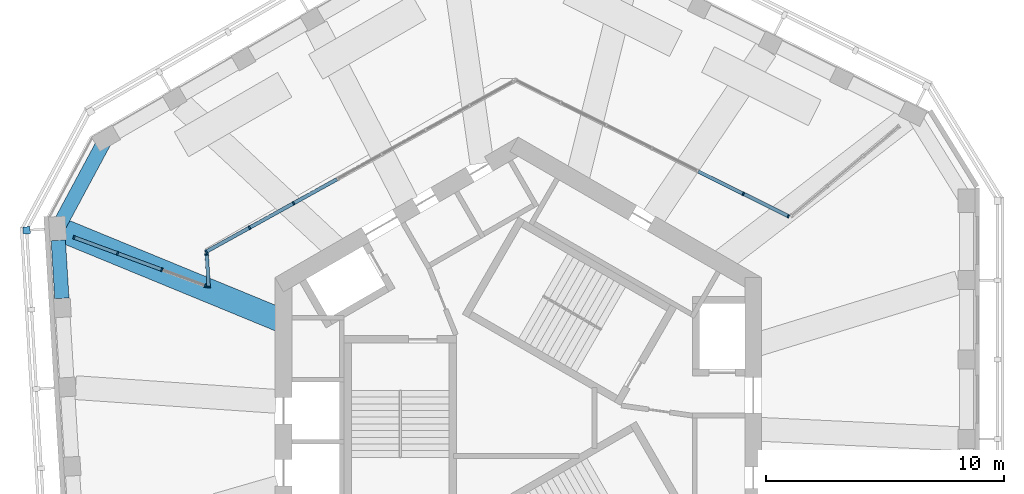
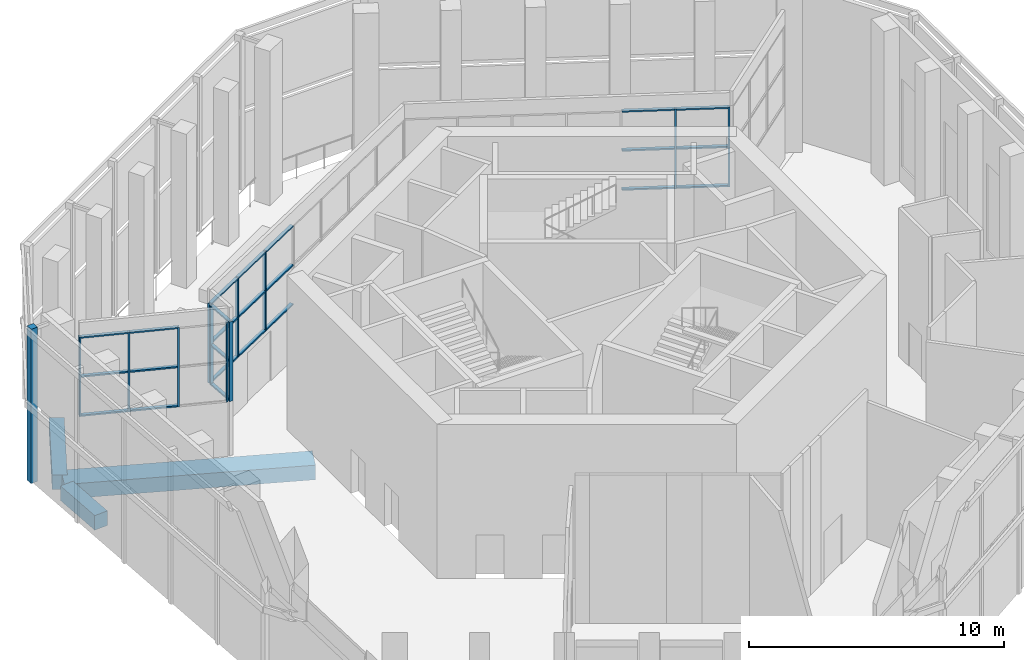
# One storey, part 2 of 16: 36 members, 3 beams, 5 elements without a shape of their own.
"""IFC4 building model written with IfcOpenShell, lengths in metres."""

import ifcopenshell
import ifcopenshell.guid

model = None  # the IFC model being written
_history = None  # IfcOwnerHistory: only IFC2X3 demands one
_inside = {}  # id of a spatial element -> (the spatial element, [elements in it])
_under = {}  # id of a project, library or spatial element -> (it, [spatial elements below it])
_declared = {}  # id of a project -> (the project, [libraries it declares])
_typed = {}  # id of a type object -> (the type object, [elements of that type])
_made_of = {}  # id of a material, layer set ... -> (it, [elements and type objects made of it])


def new_model(schema):
    """Start an empty IFC model of exactly this schema.

    Asked for "IFC4X3", IfcOpenShell would pick the latest addendum, in which some entities
    have other attributes; the version numbers below select the first issue.
    IFC2X3 requires an IfcOwnerHistory on every rooted entity: one is made here for all.
    """
    global model, _history
    if schema == "IFC4X3":
        model = ifcopenshell.file(schema_version=(4, 3, 0, 0))
    else:
        model = ifcopenshell.file(schema=schema)
    _inside.clear()
    _under.clear()
    _declared.clear()
    _typed.clear()
    _made_of.clear()
    _history = None
    if model.schema == "IFC2X3":
        org = make("IfcOrganization", Name="unknown")
        user = make(
            "IfcPersonAndOrganization",
            ThePerson=make("IfcPerson", FamilyName="unknown"),
            TheOrganization=org,
        )
        app = make(
            "IfcApplication",
            ApplicationDeveloper=org,
            Version="unknown",
            ApplicationFullName="unknown",
            ApplicationIdentifier="unknown",
        )
        _history = make(
            "IfcOwnerHistory",
            OwningUser=user,
            OwningApplication=app,
            ChangeAction="ADDED",
            CreationDate=0,
        )
    return model


def make(cls, **values):
    """One entity of the class cls with the attributes given. An attribute that is None is left unset."""
    return model.create_entity(
        cls, **{name: value for name, value in values.items() if value is not None}
    )


def rooted(cls, **values):
    """An entity with a GlobalId (a new one), such as an element, a storey or a relation."""
    return make(cls, GlobalId=ifcopenshell.guid.new(), OwnerHistory=_history, **values)


def si_unit(unit_type, name, prefix=None):
    """IfcSIUnit, for example si_unit("LENGTHUNIT", "METRE", prefix="MILLI")."""
    return make("IfcSIUnit", UnitType=unit_type, Prefix=prefix, Name=name)


def assignment(units):
    """IfcUnitAssignment: the units of a project."""
    return None if units is None else make("IfcUnitAssignment", Units=units)


def point(xyz):
    """IfcCartesianPoint."""
    return None if xyz is None else make("IfcCartesianPoint", Coordinates=xyz)


def direction(xyz):
    """IfcDirection."""
    return None if xyz is None else make("IfcDirection", DirectionRatios=xyz)


def frame(location, z_axis=None, x_axis=None):
    """IfcAxis2Placement3D, a coordinate frame: its origin and axes. An axis left out is left unset."""
    return make(
        "IfcAxis2Placement3D",
        Location=point(location),
        Axis=direction(z_axis),
        RefDirection=direction(x_axis),
    )


def frame_2d(location, x_axis=None):
    """IfcAxis2Placement2D, a coordinate frame in the plane: its origin and x axis."""
    return make(
        "IfcAxis2Placement2D", Location=point(location), RefDirection=direction(x_axis)
    )


def origin():
    """The frame at (0, 0, 0) with its axes left unset."""
    return frame((0.0, 0.0, 0.0))


def origin_2d():
    """The frame at (0, 0) in the plane with its x axis left unset."""
    return frame_2d((0.0, 0.0))


def place(relative_to, where):
    """IfcLocalPlacement: puts the frame where relative to a parent placement (None: the world)."""
    return make(
        "IfcLocalPlacement", PlacementRelTo=relative_to, RelativePlacement=where
    )


def context(
    kind, dimensions, precision=None, world=None, true_north=None, identifier=None
):
    """IfcGeometricRepresentationContext, for example the 3D "Model" context."""
    return make(
        "IfcGeometricRepresentationContext",
        ContextIdentifier=identifier,
        ContextType=kind,
        CoordinateSpaceDimension=dimensions,
        Precision=precision,
        WorldCoordinateSystem=world,
        TrueNorth=true_north,
    )


def subcontext(parent, identifier, kind, view, scale=None):
    """IfcGeometricRepresentationSubContext, for example "Body" below "Model"."""
    return make(
        "IfcGeometricRepresentationSubContext",
        ContextIdentifier=identifier,
        ContextType=kind,
        ParentContext=parent,
        TargetScale=scale,
        TargetView=view,
    )


def project(units=None, contexts=None):
    """IfcProject with its units and contexts."""
    return rooted(
        "IfcProject",
        Name="project",
        RepresentationContexts=contexts,
        UnitsInContext=assignment(units),
    )


def spatial(cls, under=None, at=None, **own):
    """A site, building, storey or space (cls), placed at a placement, below another one or the project."""
    s = rooted(cls, ObjectPlacement=at, **own)
    if under is not None:
        _under.setdefault(under.id(), (under, []))[1].append(s)
    return s


def profile(cls, at=None, kind="AREA", **sizes):
    """A parametric profile (cls). Its sizes go by their IFC names, for example OverallWidth=200.0."""
    return make(cls, ProfileType=kind, Position=at, **sizes)


def rectangle(**sizes):
    """IfcRectangleProfileDef."""
    return profile("IfcRectangleProfileDef", **sizes)


def extrude(swept, where, along, depth):
    """IfcExtrudedAreaSolid: the profile swept, set in the frame where, extruded along a direction by depth."""
    return make(
        "IfcExtrudedAreaSolid",
        SweptArea=swept,
        Position=where,
        ExtrudedDirection=direction(along),
        Depth=depth,
    )


def shape(context_of_items, identifier, shape_type, items):
    """IfcShapeRepresentation: the items that make up one representation, for example the "Body"."""
    return make(
        "IfcShapeRepresentation",
        ContextOfItems=context_of_items,
        RepresentationIdentifier=identifier,
        RepresentationType=shape_type,
        Items=items,
    )


def material(Name=None, Category=None):
    """IfcMaterial."""
    return make("IfcMaterial", Name=Name, Category=Category)


def material_profile(
    of_material, cross_section, Name=None, Category=None, Priority=None
):
    """IfcMaterialProfile: a cross section and its material."""
    return make(
        "IfcMaterialProfile",
        Name=Name,
        Material=of_material,
        Profile=cross_section,
        Priority=Priority,
        Category=Category,
    )


def profile_set(profiles, Name=None, composite=None):
    """IfcMaterialProfileSet."""
    return make(
        "IfcMaterialProfileSet",
        Name=Name,
        MaterialProfiles=profiles,
        CompositeProfile=composite,
    )


def made_of(thing, what):
    """Note that an element or type object is made of a material, layer set ...; save() writes the relation."""
    if what is not None:
        _made_of.setdefault(what.id(), (what, []))[1].append(thing)
    return thing


def type_object(cls, material=None, **own):
    """A type object (cls), such as IfcWallType, which elements share."""
    return made_of(rooted(cls, **own), material)


def element(
    cls,
    number,
    at=None,
    inside=None,
    cuts=None,
    type_object=None,
    material=None,
    context=None,
    identifier="Body",
    shape_type=None,
    held_by="IfcProductDefinitionShape",
    body=None,
    shapes=None,
    **own,
):
    """One element of the class cls, such as IfcWall. Its Tag is "e" and its number.

    at: its placement. inside: the storey or other place that contains it. cuts: it is an
    opening in that element (IfcRelVoidsElement). A single representation is given by context,
    identifier, shape_type and body (its items); several are given by shapes. held_by: the class
    of the entity that holds the representations. save() writes the other relations.
    """
    e = rooted(cls, Tag="e%d" % number, ObjectPlacement=at, **own)
    if body is not None:
        shapes = [shape(context, identifier, shape_type, body)]
    if shapes is not None:
        e.Representation = make(held_by, Representations=shapes)
    if inside is not None:
        _inside.setdefault(inside.id(), (inside, []))[1].append(e)
    if cuts is not None:
        rooted(
            "IfcRelVoidsElement", RelatingBuildingElement=cuts, RelatedOpeningElement=e
        )
    if type_object is not None:
        _typed.setdefault(type_object.id(), (type_object, []))[1].append(e)
    return made_of(e, material)


def aggregate(whole, parts):
    """IfcRelAggregates: a whole, such as a stair, and the parts it consists of."""
    return rooted("IfcRelAggregates", RelatingObject=whole, RelatedObjects=parts)


def save(model, path):
    """Write the relations noted so far, then the file.

    IfcRelAggregates (storeys below a building ...), IfcRelContainedInSpatialStructure (elements
    in a storey), IfcRelDefinesByType, IfcRelAssociatesMaterial and IfcRelDeclares: one each for
    every whole, place, type object, material and project.
    """
    for whole, parts in _under.values():
        aggregate(whole, parts)
    for where, things in _inside.values():
        rooted(
            "IfcRelContainedInSpatialStructure",
            RelatedElements=things,
            RelatingStructure=where,
        )
    for kind, things in _typed.values():
        rooted("IfcRelDefinesByType", RelatedObjects=things, RelatingType=kind)
    for what, things in _made_of.values():
        rooted("IfcRelAssociatesMaterial", RelatedObjects=things, RelatingMaterial=what)
    for by, libraries in _declared.values():
        rooted("IfcRelDeclares", RelatingContext=by, RelatedDefinitions=libraries)
    model.write(path)


model = new_model("IFC4")

# Units and contexts
model_context = context("Model", 3, precision=1e-05, world=origin(), true_north=direction((0.0, 1.0)))
body_context = subcontext(model_context, "Body", "Model", "MODEL_VIEW")
ifc_project = project(units=[si_unit("LENGTHUNIT", "METRE"), si_unit("AREAUNIT", "SQUARE_METRE"), si_unit("VOLUMEUNIT", "CUBIC_METRE"), si_unit("PLANEANGLEUNIT", "RADIAN"), si_unit("MASSUNIT", "GRAM", prefix="KILO")], contexts=[model_context])

# Site, building, storey
site_placement = place(None, origin())
site = spatial("IfcSite", under=ifc_project, at=site_placement, CompositionType="ELEMENT")
building_placement = place(site_placement, origin())
building = spatial("IfcBuilding", under=site, at=building_placement, Name="Vanh Sen Convention Tower", CompositionType="ELEMENT")
storey_placement = place(building_placement, frame((0.0, 0.0, 278.300048828125)))
storey = spatial("IfcBuildingStorey", under=building, at=storey_placement, Name="L69", CompositionType="ELEMENT", Elevation=278.300048828125)

# Curtain wall, members
ifc_material_1 = material(Name="Aluminium structural glazing system", Category="aluminium")
curtain_wall_type_1 = type_object("IfcCurtainWallType", Name="Sky garden structural glazing", PredefinedType="NOTDEFINED", material=ifc_material_1)
curtain_wall_1_placement = place(storey_placement, origin())
curtain_wall_1 = element("IfcCurtainWall", 1, at=curtain_wall_1_placement, inside=storey, type_object=curtain_wall_type_1, Name="Winter garden glazing 1 L69", PredefinedType="NOTDEFINED")
ifc_material_2 = material(Name="Aluminium mullion", Category="aluminium")
ifc_material_profile_1 = material_profile(ifc_material_2, rectangle(XDim=0.14990234375, YDim=0.070068359375, at=origin_2d()), Name="Garden glazing mullion 70 x 150")
ifc_profile_set_1 = profile_set([ifc_material_profile_1], Name="Aluminium mullion")
member_type_1 = type_object("IfcMemberType", Name="Garden glazing mullion 70 x 150", PredefinedType="MULLION", material=ifc_profile_set_1)
member_1_placement = place(storey_placement, frame((-18.628662109375, 7.5703125, 2.599853515625), z_axis=(0.0, 0.0, 1.0), x_axis=(0.34529741344, 0.938493311788, 0.0)))
member_1 = element("IfcMember", 2, at=member_1_placement, type_object=member_type_1, Name="CW5 mullion 1", PredefinedType="MULLION", context=body_context, shape_type="SweptSolid", body=[
    extrude(rectangle(XDim=0.14990234375, YDim=0.070068359375, at=origin_2d()), origin(), (0.0, 0.0, 1.0), 3.820068359375),
])
member_2_placement = place(storey_placement, frame((-16.806396484375, 6.899658203125, 2.599853515625), z_axis=(0.0, 0.0, 1.0), x_axis=(0.34529741344, 0.938493311788, 0.0)))
member_2 = element("IfcMember", 3, at=member_2_placement, type_object=member_type_1, Name="CW5 mullion 2", PredefinedType="MULLION", context=body_context, shape_type="SweptSolid", body=[
    extrude(rectangle(XDim=0.14990234375, YDim=0.070068359375, at=origin_2d()), origin(), (0.0, 0.0, 1.0), 3.820068359375),
])
member_3_placement = place(storey_placement, frame((-14.951171875, 6.21728515625, 2.599853515625), z_axis=(0.0, 0.0, 1.0), x_axis=(0.34529741344, 0.938493311788, 0.0)))
member_3 = element("IfcMember", 4, at=member_3_placement, type_object=member_type_1, Name="CW5 mullion 3", PredefinedType="MULLION", context=body_context, shape_type="SweptSolid", body=[
    extrude(rectangle(XDim=0.14990234375, YDim=0.070068359375, at=origin_2d()), origin(), (0.0, 0.0, 1.0), 3.820068359375),
])
member_4_placement = place(storey_placement, frame((-13.12890625, 5.546630859375, 2.599853515625), z_axis=(0.0, 0.0, 1.0), x_axis=(0.34529741344, 0.938493311788, 0.0)))
member_4 = element("IfcMember", 5, at=member_4_placement, type_object=member_type_1, Name="CW5 mullion 4", PredefinedType="MULLION", context=body_context, shape_type="SweptSolid", body=[
    extrude(rectangle(XDim=0.14990234375, YDim=0.070068359375, at=origin_2d()), origin(), (0.0, 0.0, 1.0), 3.820068359375),
])

curtain_wall_2_placement = place(storey_placement, origin())
curtain_wall_2 = element("IfcCurtainWall", 6, at=curtain_wall_2_placement, inside=storey, type_object=curtain_wall_type_1, Name="Winter garden glazing 2 L69", PredefinedType="NOTDEFINED")
member_5_placement = place(storey_placement, frame((-12.984619140625, 5.4931640625, 2.599853515625), z_axis=(0.0, 0.0, 1.0), x_axis=(-0.99813665892, -0.061018113054, 0.0)))
member_5 = element("IfcMember", 7, at=member_5_placement, type_object=member_type_1, Name="CW5 mullion 1", PredefinedType="MULLION", context=body_context, shape_type="SweptSolid", body=[
    extrude(rectangle(XDim=0.14990234375, YDim=0.070068359375, at=origin_2d()), origin(), (0.0, 0.0, 1.0), 3.820068359375),
])
member_6_placement = place(storey_placement, frame((-13.068115234375, 6.85791015625, 2.599853515625), z_axis=(0.0, 0.0, 1.0), x_axis=(-0.99813665892, -0.061018113054, 0.0)))
member_6 = element("IfcMember", 8, at=member_6_placement, type_object=member_type_1, Name="CW5 mullion 2", PredefinedType="MULLION", context=body_context, shape_type="SweptSolid", body=[
    extrude(rectangle(XDim=0.14990234375, YDim=0.070068359375, at=origin_2d()), origin(), (0.0, 0.0, 1.0), 3.820068359375),
])

curtain_wall_3_placement = place(storey_placement, origin())
curtain_wall_3 = element("IfcCurtainWall", 9, at=curtain_wall_3_placement, inside=storey, type_object=curtain_wall_type_1, Name="Winter garden glazing 3 L69", PredefinedType="NOTDEFINED")
member_7_placement = place(storey_placement, frame((-13.086181640625, 6.974365234375, 2.599853515625), z_axis=(0.0, 0.0, 1.0), x_axis=(-0.484738524975, 0.874659112115, 0.0)))
member_7 = element("IfcMember", 10, at=member_7_placement, type_object=member_type_1, Name="CW5 mullion 1", PredefinedType="MULLION", context=body_context, shape_type="SweptSolid", body=[
    extrude(rectangle(XDim=0.14990234375, YDim=0.070068359375, at=origin_2d()), origin(), (0.0, 0.0, 1.0), 3.820068359375),
])
member_8_placement = place(storey_placement, frame((-11.27001953125, 7.98095703125, 2.599853515625), z_axis=(0.0, 0.0, 1.0), x_axis=(-0.484738524975, 0.874659112115, 0.0)))
member_8 = element("IfcMember", 11, at=member_8_placement, type_object=member_type_1, Name="CW5 mullion 2", PredefinedType="MULLION", context=body_context, shape_type="SweptSolid", body=[
    extrude(rectangle(XDim=0.14990234375, YDim=0.070068359375, at=origin_2d()), origin(), (0.0, 0.0, 1.0), 3.820068359375),
])
member_9_placement = place(storey_placement, frame((-9.423095703125, 9.004638671875, 2.599853515625), z_axis=(0.0, 0.0, 1.0), x_axis=(-0.484738524975, 0.874659112115, 0.0)))
member_9 = element("IfcMember", 12, at=member_9_placement, type_object=member_type_1, Name="CW5 mullion 3", PredefinedType="MULLION", context=body_context, shape_type="SweptSolid", body=[
    extrude(rectangle(XDim=0.14990234375, YDim=0.070068359375, at=origin_2d()), origin(), (0.0, 0.0, 1.0), 3.820068359375),
])

curtain_wall_4_placement = place(storey_placement, origin())
curtain_wall_4 = element("IfcCurtainWall", 13, at=curtain_wall_4_placement, inside=storey, type_object=curtain_wall_type_1, Name="Winter garden glazing 4 L69", PredefinedType="NOTDEFINED")
member_10_placement = place(storey_placement, frame((9.439208984375, 9.40087890625, 2.599853515625), z_axis=(0.0, 0.0, 1.0), x_axis=(0.446199060096, 0.894933739876, 0.0)))
member_10 = element("IfcMember", 14, at=member_10_placement, type_object=member_type_1, Name="CW5 mullion 6", PredefinedType="MULLION", context=body_context, shape_type="SweptSolid", body=[
    extrude(rectangle(XDim=0.14990234375, YDim=0.070068359375, at=origin_2d()), origin(), (0.0, 0.0, 1.0), 3.820068359375),
])
member_11_placement = place(storey_placement, frame((11.32568359375, 8.46044921875, 2.599853515625), z_axis=(0.0, 0.0, 1.0), x_axis=(0.446199060096, 0.894933739876, 0.0)))
member_11 = element("IfcMember", 15, at=member_11_placement, type_object=member_type_1, Name="CW5 mullion 7", PredefinedType="MULLION", context=body_context, shape_type="SweptSolid", body=[
    extrude(rectangle(XDim=0.14990234375, YDim=0.070068359375, at=origin_2d()), origin(), (0.0, 0.0, 1.0), 3.820068359375),
])

# Member
ifc_material_3 = material(Name="Aluminium transom", Category="aluminium")
ifc_material_profile_2 = material_profile(ifc_material_3, rectangle(XDim=0.14990234375, YDim=0.070068359375, at=origin_2d()), Name="Garden glazing transom 150 x 70")
ifc_profile_set_2 = profile_set([ifc_material_profile_2], Name="Aluminium transom")
member_type_2 = type_object("IfcMemberType", Name="Garden glazing transom 150 x 70", PredefinedType="USERDEFINED", material=ifc_profile_set_2)
member_12_placement = place(storey_placement, frame((-18.595703125, 7.55810546875, 2.635009765625), z_axis=(0.938503359517, -0.345270103216, 0.0), x_axis=(0.345270103216, 0.938503359517, 0.0)))
member_12 = element("IfcMember", 16, at=member_12_placement, type_object=member_type_2, Name="CW5 transom 1.1", ObjectType="TRANSOM", PredefinedType="USERDEFINED", context=body_context, shape_type="SweptSolid", body=[
    extrude(rectangle(XDim=0.14990234375, YDim=0.070068359375, at=origin_2d()), origin(), (0.0, 0.0, 1.0), 1.87158203125),
])

member_13_placement = place(storey_placement, frame((-18.595703125, 7.55810546875, 4.510009765625), z_axis=(0.938503359517, -0.345270103216, 0.0), x_axis=(0.345270103216, 0.938503359517, 0.0)))
member_13 = element("IfcMember", 17, at=member_13_placement, type_object=member_type_2, Name="CW5 transom 1.2", ObjectType="TRANSOM", PredefinedType="USERDEFINED", context=body_context, shape_type="SweptSolid", body=[
    extrude(rectangle(XDim=0.14990234375, YDim=0.070068359375, at=origin_2d()), origin(), (0.0, 0.0, 1.0), 1.87158203125),
])

member_14_placement = place(storey_placement, frame((-18.595703125, 7.55810546875, 6.385009765625), z_axis=(0.938503359517, -0.345270103216, 0.0), x_axis=(0.345270103216, 0.938503359517, 0.0)))
member_14 = element("IfcMember", 18, at=member_14_placement, type_object=member_type_2, Name="CW5 transom 1.3", ObjectType="TRANSOM", PredefinedType="USERDEFINED", context=body_context, shape_type="SweptSolid", body=[
    extrude(rectangle(XDim=0.14990234375, YDim=0.070068359375, at=origin_2d()), origin(), (0.0, 0.0, 1.0), 1.87158203125),
])

member_15_placement = place(storey_placement, frame((-16.7734375, 6.8876953125, 2.635009765625), z_axis=(0.93847422185, -0.345349294082, 0.0), x_axis=(0.345349294082, 0.93847422185, 0.0)))
member_15 = element("IfcMember", 19, at=member_15_placement, type_object=member_type_2, Name="CW5 transom 2.1", ObjectType="TRANSOM", PredefinedType="USERDEFINED", context=body_context, shape_type="SweptSolid", body=[
    extrude(rectangle(XDim=0.14990234375, YDim=0.070068359375, at=origin_2d()), origin(), (0.0, 0.0, 1.0), 1.906494140625),
])

member_16_placement = place(storey_placement, frame((-16.7734375, 6.8876953125, 4.510009765625), z_axis=(0.93847422185, -0.345349294082, 0.0), x_axis=(0.345349294082, 0.93847422185, 0.0)))
member_16 = element("IfcMember", 20, at=member_16_placement, type_object=member_type_2, Name="CW5 transom 2.2", ObjectType="TRANSOM", PredefinedType="USERDEFINED", context=body_context, shape_type="SweptSolid", body=[
    extrude(rectangle(XDim=0.14990234375, YDim=0.070068359375, at=origin_2d()), origin(), (0.0, 0.0, 1.0), 1.906494140625),
])

member_17_placement = place(storey_placement, frame((-16.7734375, 6.8876953125, 6.385009765625), z_axis=(0.93847422185, -0.345349294082, 0.0), x_axis=(0.345349294082, 0.93847422185, 0.0)))
member_17 = element("IfcMember", 21, at=member_17_placement, type_object=member_type_2, Name="CW5 transom 2.3", ObjectType="TRANSOM", PredefinedType="USERDEFINED", context=body_context, shape_type="SweptSolid", body=[
    extrude(rectangle(XDim=0.14990234375, YDim=0.070068359375, at=origin_2d()), origin(), (0.0, 0.0, 1.0), 1.906494140625),
])

aggregate(curtain_wall_1, [member_1, member_2, member_3, member_4, member_12, member_13, member_14, member_15, member_16, member_17])

member_18_placement = place(storey_placement, frame((-12.98681640625, 5.528076171875, 2.635009765625), z_axis=(-0.06097231979, 0.9981394573, 0.0), x_axis=(-0.9981394573, -0.06097231979, 0.0)))
member_18 = element("IfcMember", 22, at=member_18_placement, type_object=member_type_2, Name="CW5 transom 1.1", ObjectType="TRANSOM", PredefinedType="USERDEFINED", context=body_context, shape_type="SweptSolid", body=[
    extrude(rectangle(XDim=0.14990234375, YDim=0.070068359375, at=origin_2d()), origin(), (0.0, 0.0, 1.0), 1.29736328125),
])

member_19_placement = place(storey_placement, frame((-12.98681640625, 5.528076171875, 4.510009765625), z_axis=(-0.06097231979, 0.9981394573, 0.0), x_axis=(-0.9981394573, -0.06097231979, 0.0)))
member_19 = element("IfcMember", 23, at=member_19_placement, type_object=member_type_2, Name="CW5 transom 1.2", ObjectType="TRANSOM", PredefinedType="USERDEFINED", context=body_context, shape_type="SweptSolid", body=[
    extrude(rectangle(XDim=0.14990234375, YDim=0.070068359375, at=origin_2d()), origin(), (0.0, 0.0, 1.0), 1.29736328125),
])

member_20_placement = place(storey_placement, frame((-12.98681640625, 5.528076171875, 6.385009765625), z_axis=(-0.06097231979, 0.9981394573, 0.0), x_axis=(-0.9981394573, -0.06097231979, 0.0)))
member_20 = element("IfcMember", 24, at=member_20_placement, type_object=member_type_2, Name="CW5 transom 1.3", ObjectType="TRANSOM", PredefinedType="USERDEFINED", context=body_context, shape_type="SweptSolid", body=[
    extrude(rectangle(XDim=0.14990234375, YDim=0.070068359375, at=origin_2d()), origin(), (0.0, 0.0, 1.0), 1.29736328125),
])

aggregate(curtain_wall_2, [member_5, member_6, member_18, member_19, member_20])

member_21_placement = place(storey_placement, frame((-13.0556640625, 6.991455078125, 2.635009765625), z_axis=(0.874667566522, 0.484723269582, 0.0), x_axis=(-0.484723269582, 0.874667566522, 0.0)))
member_21 = element("IfcMember", 25, at=member_21_placement, type_object=member_type_2, Name="CW5 transom 1.1", ObjectType="TRANSOM", PredefinedType="USERDEFINED", context=body_context, shape_type="SweptSolid", body=[
    extrude(rectangle(XDim=0.14990234375, YDim=0.070068359375, at=origin_2d()), origin(), (0.0, 0.0, 1.0), 2.006591796875),
])

member_22_placement = place(storey_placement, frame((-13.0556640625, 6.991455078125, 4.510009765625), z_axis=(0.874667566522, 0.484723269582, 0.0), x_axis=(-0.484723269582, 0.874667566522, 0.0)))
member_22 = element("IfcMember", 26, at=member_22_placement, type_object=member_type_2, Name="CW5 transom 1.2", ObjectType="TRANSOM", PredefinedType="USERDEFINED", context=body_context, shape_type="SweptSolid", body=[
    extrude(rectangle(XDim=0.14990234375, YDim=0.070068359375, at=origin_2d()), origin(), (0.0, 0.0, 1.0), 2.006591796875),
])

member_23_placement = place(storey_placement, frame((-13.0556640625, 6.991455078125, 6.385009765625), z_axis=(0.874667566522, 0.484723269582, 0.0), x_axis=(-0.484723269582, 0.874667566522, 0.0)))
member_23 = element("IfcMember", 27, at=member_23_placement, type_object=member_type_2, Name="CW5 transom 1.3", ObjectType="TRANSOM", PredefinedType="USERDEFINED", context=body_context, shape_type="SweptSolid", body=[
    extrude(rectangle(XDim=0.14990234375, YDim=0.070068359375, at=origin_2d()), origin(), (0.0, 0.0, 1.0), 2.006591796875),
])

member_24_placement = place(storey_placement, frame((-11.239501953125, 7.998046875, 2.635009765625), z_axis=(0.87470947383, 0.484647641481, 0.0), x_axis=(-0.484647641481, 0.87470947383, 0.0)))
member_24 = element("IfcMember", 28, at=member_24_placement, type_object=member_type_2, Name="CW5 transom 2.1", ObjectType="TRANSOM", PredefinedType="USERDEFINED", context=body_context, shape_type="SweptSolid", body=[
    extrude(rectangle(XDim=0.14990234375, YDim=0.070068359375, at=origin_2d()), origin(), (0.0, 0.0, 1.0), 2.041748046875),
])

member_25_placement = place(storey_placement, frame((-11.239501953125, 7.998046875, 4.510009765625), z_axis=(0.87470947383, 0.484647641481, 0.0), x_axis=(-0.484647641481, 0.87470947383, 0.0)))
member_25 = element("IfcMember", 29, at=member_25_placement, type_object=member_type_2, Name="CW5 transom 2.2", ObjectType="TRANSOM", PredefinedType="USERDEFINED", context=body_context, shape_type="SweptSolid", body=[
    extrude(rectangle(XDim=0.14990234375, YDim=0.070068359375, at=origin_2d()), origin(), (0.0, 0.0, 1.0), 2.041748046875),
])

member_26_placement = place(storey_placement, frame((-11.239501953125, 7.998046875, 6.385009765625), z_axis=(0.87470947383, 0.484647641481, 0.0), x_axis=(-0.484647641481, 0.87470947383, 0.0)))
member_26 = element("IfcMember", 30, at=member_26_placement, type_object=member_type_2, Name="CW5 transom 2.3", ObjectType="TRANSOM", PredefinedType="USERDEFINED", context=body_context, shape_type="SweptSolid", body=[
    extrude(rectangle(XDim=0.14990234375, YDim=0.070068359375, at=origin_2d()), origin(), (0.0, 0.0, 1.0), 2.041748046875),
])

member_27_placement = place(storey_placement, frame((-9.392578125, 9.021484375, 2.635009765625), z_axis=(0.874630679834, 0.484789824453, 0.0), x_axis=(-0.484789824453, 0.874630679834, 0.0)))
member_27 = element("IfcMember", 31, at=member_27_placement, type_object=member_type_2, Name="CW5 transom 3.1", ObjectType="TRANSOM", PredefinedType="USERDEFINED", context=body_context, shape_type="SweptSolid", body=[
    extrude(rectangle(XDim=0.14990234375, YDim=0.070068359375, at=origin_2d()), origin(), (0.0, 0.0, 1.0), 2.04150390625),
])

member_28_placement = place(storey_placement, frame((-9.392578125, 9.021484375, 4.510009765625), z_axis=(0.874630679834, 0.484789824453, 0.0), x_axis=(-0.484789824453, 0.874630679834, 0.0)))
member_28 = element("IfcMember", 32, at=member_28_placement, type_object=member_type_2, Name="CW5 transom 3.2", ObjectType="TRANSOM", PredefinedType="USERDEFINED", context=body_context, shape_type="SweptSolid", body=[
    extrude(rectangle(XDim=0.14990234375, YDim=0.070068359375, at=origin_2d()), origin(), (0.0, 0.0, 1.0), 2.04150390625),
])

member_29_placement = place(storey_placement, frame((-9.392578125, 9.021484375, 6.385009765625), z_axis=(0.874630679834, 0.484789824453, 0.0), x_axis=(-0.484789824453, 0.874630679834, 0.0)))
member_29 = element("IfcMember", 33, at=member_29_placement, type_object=member_type_2, Name="CW5 transom 3.3", ObjectType="TRANSOM", PredefinedType="USERDEFINED", context=body_context, shape_type="SweptSolid", body=[
    extrude(rectangle(XDim=0.14990234375, YDim=0.070068359375, at=origin_2d()), origin(), (0.0, 0.0, 1.0), 2.04150390625),
])

aggregate(curtain_wall_3, [member_7, member_8, member_9, member_21, member_22, member_23, member_24, member_25, member_26, member_27, member_28, member_29])

member_30_placement = place(storey_placement, frame((7.552978515625, 10.34130859375, 2.635009765625), z_axis=(0.894944852753, -0.446176770496, 0.0), x_axis=(0.446176770496, 0.894944852753, 0.0)))
member_30 = element("IfcMember", 34, at=member_30_placement, type_object=member_type_2, Name="CW5 transom 5.1", ObjectType="TRANSOM", PredefinedType="USERDEFINED", context=body_context, shape_type="SweptSolid", body=[
    extrude(rectangle(XDim=0.14990234375, YDim=0.070068359375, at=origin_2d()), origin(), (0.0, 0.0, 1.0), 2.07275390625),
])

member_31_placement = place(storey_placement, frame((7.552978515625, 10.34130859375, 4.510009765625), z_axis=(0.894944852753, -0.446176770496, 0.0), x_axis=(0.446176770496, 0.894944852753, 0.0)))
member_31 = element("IfcMember", 35, at=member_31_placement, type_object=member_type_2, Name="CW5 transom 5.2", ObjectType="TRANSOM", PredefinedType="USERDEFINED", context=body_context, shape_type="SweptSolid", body=[
    extrude(rectangle(XDim=0.14990234375, YDim=0.070068359375, at=origin_2d()), origin(), (0.0, 0.0, 1.0), 2.07275390625),
])

member_32_placement = place(storey_placement, frame((7.552978515625, 10.34130859375, 6.385009765625), z_axis=(0.894944852753, -0.446176770496, 0.0), x_axis=(0.446176770496, 0.894944852753, 0.0)))
member_32 = element("IfcMember", 36, at=member_32_placement, type_object=member_type_2, Name="CW5 transom 5.3", ObjectType="TRANSOM", PredefinedType="USERDEFINED", context=body_context, shape_type="SweptSolid", body=[
    extrude(rectangle(XDim=0.14990234375, YDim=0.070068359375, at=origin_2d()), origin(), (0.0, 0.0, 1.0), 2.07275390625),
])

member_33_placement = place(storey_placement, frame((9.470458984375, 9.38525390625, 2.635009765625), z_axis=(0.894953717737, -0.446158988601, 0.0), x_axis=(0.446158988601, 0.894953717737, 0.0)))
member_33 = element("IfcMember", 37, at=member_33_placement, type_object=member_type_2, Name="CW5 transom 6.1", ObjectType="TRANSOM", PredefinedType="USERDEFINED", context=body_context, shape_type="SweptSolid", body=[
    extrude(rectangle(XDim=0.14990234375, YDim=0.070068359375, at=origin_2d()), origin(), (0.0, 0.0, 1.0), 2.037841796875),
])

member_34_placement = place(storey_placement, frame((9.470458984375, 9.38525390625, 4.510009765625), z_axis=(0.894953717737, -0.446158988601, 0.0), x_axis=(0.446158988601, 0.894953717737, 0.0)))
member_34 = element("IfcMember", 38, at=member_34_placement, type_object=member_type_2, Name="CW5 transom 6.2", ObjectType="TRANSOM", PredefinedType="USERDEFINED", context=body_context, shape_type="SweptSolid", body=[
    extrude(rectangle(XDim=0.14990234375, YDim=0.070068359375, at=origin_2d()), origin(), (0.0, 0.0, 1.0), 2.037841796875),
])

member_35_placement = place(storey_placement, frame((9.470458984375, 9.38525390625, 6.385009765625), z_axis=(0.894953717737, -0.446158988601, 0.0), x_axis=(0.446158988601, 0.894953717737, 0.0)))
member_35 = element("IfcMember", 39, at=member_35_placement, type_object=member_type_2, Name="CW5 transom 6.3", ObjectType="TRANSOM", PredefinedType="USERDEFINED", context=body_context, shape_type="SweptSolid", body=[
    extrude(rectangle(XDim=0.14990234375, YDim=0.070068359375, at=origin_2d()), origin(), (0.0, 0.0, 1.0), 2.037841796875),
])

aggregate(curtain_wall_4, [member_10, member_11, member_30, member_31, member_32, member_33, member_34, member_35])

# Curtain wall, member
ifc_material_4 = material(Name="Concrete C50/60", Category="concrete")
curtain_wall_type_2 = type_object("IfcCurtainWallType", Name="Outer skin office zone", PredefinedType="NOTDEFINED", material=ifc_material_4)
curtain_wall_5_placement = place(storey_placement, origin())
curtain_wall_5 = element("IfcCurtainWall", 40, at=curtain_wall_5_placement, inside=storey, type_object=curtain_wall_type_2, Name="OUTER SKIN W L69", PredefinedType="NOTDEFINED")
ifc_material_profile_3 = material_profile(ifc_material_4, rectangle(XDim=0.300048828125, YDim=0.300048828125, at=origin_2d()), Name="Outer skin precast corner fin 300 x 300")
ifc_profile_set_3 = profile_set([ifc_material_profile_3], Name="Concrete C50/60")
member_type_3 = type_object("IfcMemberType", Name="Outer skin precast corner fin 300 x 300", PredefinedType="MULLION", material=ifc_profile_set_3)
member_36_placement = place(storey_placement, frame((-20.618896484375, 7.867431640625, 0.0), z_axis=(0.0, 0.0, 1.0), x_axis=(0.061048539535, -0.998134798422, 0.0)))
member_36 = element("IfcMember", 41, at=member_36_placement, type_object=member_type_3, Name="OUTER SKIN CORNER FIN 1 W L69", PredefinedType="MULLION", context=body_context, shape_type="SweptSolid", body=[
    extrude(rectangle(XDim=0.300048828125, YDim=0.300048828125, at=origin_2d()), origin(), (0.0, 0.0, 1.0), 7.39990234375),
])
aggregate(curtain_wall_5, [member_36])

# Beams
ifc_material_5 = material(Name="Concrete C50/60", Category="concrete")
ifc_material_profile_4 = material_profile(ifc_material_5, rectangle(XDim=1.0, YDim=0.699951171875, at=origin_2d()), Name="RC 1000X700")
ifc_profile_set_4 = profile_set([ifc_material_profile_4], Name="Concrete C50/60")
beam_type_1 = type_object("IfcBeamType", Name="Radial floor beam 1000 x 700", PredefinedType="BEAM", material=ifc_profile_set_4)
beam_1_placement = place(storey_placement, frame((-19.2197265625, 7.905029296875, -0.699951171875), z_axis=(0.924826714938, -0.380388679297, 0.0), x_axis=(0.380388679297, 0.924826714938, 0.0)))
element("IfcBeam", 42, at=beam_1_placement, inside=storey, type_object=beam_type_1, Name="Radial beam 10 L69", PredefinedType="BEAM", context=body_context, shape_type="SweptSolid", body=[
    extrude(rectangle(XDim=1.0, YDim=0.699951171875, at=origin_2d()), origin(), (0.0, 0.0, 1.0), 9.963623046875),
])
ifc_material_profile_5 = material_profile(ifc_material_5, rectangle(XDim=0.60009765625, YDim=0.699951171875, at=origin_2d()), Name="RC 600X700")
ifc_profile_set_5 = profile_set([ifc_material_profile_5], Name="Concrete C50/60")
beam_type_2 = type_object("IfcBeamType", Name="Spandrel beam 600 x 700", PredefinedType="SPANDREL", material=ifc_profile_set_5)
beam_2_placement = place(storey_placement, frame((-17.373779296875, 11.571044921875, -0.699951171875), z_axis=(-0.47334933891, -0.880874794368, 0.0), x_axis=(0.880874794368, -0.47334933891, 0.0)))
element("IfcBeam", 43, at=beam_2_placement, inside=storey, type_object=beam_type_2, Name="Spandrel beam 18 L69", PredefinedType="SPANDREL", context=body_context, shape_type="SweptSolid", body=[
    extrude(rectangle(XDim=0.60009765625, YDim=0.699951171875, at=origin_2d()), origin(), (0.0, 0.0, 1.0), 3.93896484375),
])
beam_3_placement = place(storey_placement, frame((-19.291015625, 7.452880859375, -0.699951171875), z_axis=(0.061089734733, -0.998132277962, 0.0), x_axis=(0.998132277962, 0.061089734733, 0.0)))
element("IfcBeam", 44, at=beam_3_placement, inside=storey, type_object=beam_type_2, Name="Spandrel beam 19 L69", PredefinedType="SPANDREL", context=body_context, shape_type="SweptSolid", body=[
    extrude(rectangle(XDim=0.60009765625, YDim=0.699951171875, at=origin_2d()), origin(), (0.0, 0.0, 1.0), 2.44189453125),
])

save(model, "model.ifc")
